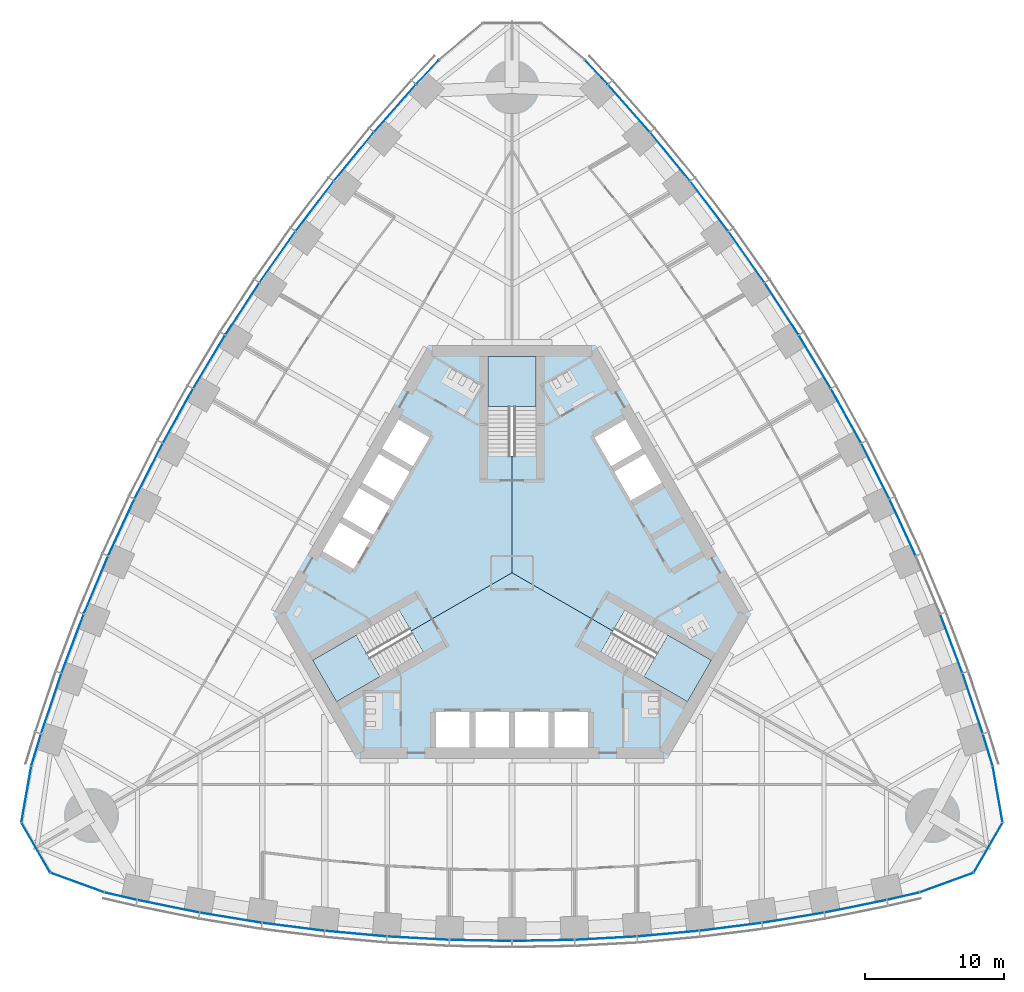
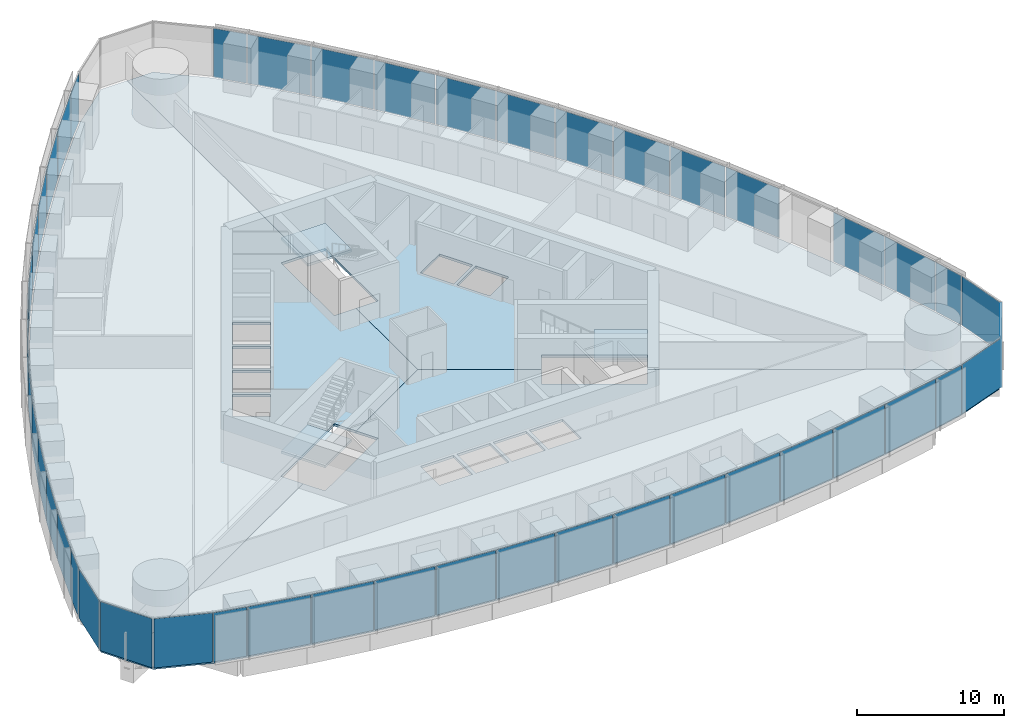
# One storey, part 9 of 19: 47 plates, 6 slabs, 8 elements without a shape of their own.
"""IFC4 building model written with IfcOpenShell, lengths in metres."""

from ifc_helpers import new_model, si_unit, direction, frame, origin, origin_2d, place, context, subcontext, project, spatial, polyline, rectangle, outline, extrude, material, layer, layer_set, type_object, element, aggregate, save


model = new_model("IFC4")

# Units and contexts
model_context = context("Model", 3, precision=1e-05, world=origin(), true_north=direction((0.0, 1.0)))
body_context = subcontext(model_context, "Body", "Model", "MODEL_VIEW")
ifc_project = project(units=[si_unit("LENGTHUNIT", "METRE"), si_unit("AREAUNIT", "SQUARE_METRE"), si_unit("VOLUMEUNIT", "CUBIC_METRE"), si_unit("PLANEANGLEUNIT", "RADIAN"), si_unit("MASSUNIT", "GRAM", prefix="KILO")], contexts=[model_context])

# Site, building, storey
site_placement = place(None, origin())
site = spatial("IfcSite", under=ifc_project, at=site_placement, CompositionType="ELEMENT")
building_placement = place(site_placement, origin())
building = spatial("IfcBuilding", under=site, at=building_placement, Name="Trefoil Bronze Tower", CompositionType="ELEMENT")
storey_placement = place(building_placement, frame((0.0, 0.0, 166.10009765625)))
storey = spatial("IfcBuildingStorey", under=building, at=storey_placement, Name="L38", CompositionType="ELEMENT", Elevation=166.10009765625)

# Curtain wall, plates
ifc_material_1 = material(Name="Tinted solar-control glass", Category="glass")
curtain_wall_type_1 = type_object("IfcCurtainWallType", Name="Bronze office curtain wall", PredefinedType="USERDEFINED", material=ifc_material_1)
curtain_wall_1_placement = place(storey_placement, origin())
curtain_wall_1 = element("IfcCurtainWall", 1, at=curtain_wall_1_placement, inside=storey, type_object=curtain_wall_type_1, Name="CW-A L38 F1", ObjectType="CURTAIN WALL", PredefinedType="USERDEFINED")
ifc_material_2 = material(Name="Tinted solar-control glass", Category="glass")
ifc_layer_1 = layer(ifc_material_2, 0.030029296875)
ifc_layer_set_1 = layer_set([ifc_layer_1], Name="Bronze office curtain wall glass panel")
plate_type_1 = type_object("IfcPlateType", Name="Bronze office curtain wall glass panel", PredefinedType="CURTAIN_PANEL", material=ifc_layer_set_1)
plate_1_placement = place(storey_placement, frame((-28.201416015625, -23.320068359375, -0.000244140625), z_axis=(0.0, 0.0, 1.0), x_axis=(0.97420444715, -0.225667222151, 0.0)))
plate_1 = element("IfcPlate", 2, at=plate_1_placement, type_object=plate_type_1, Name="CW-A L38 F1 panel 1", PredefinedType="CURTAIN_PANEL", context=body_context, shape_type="SweptSolid", body=[
    extrude(rectangle(XDim=2.340087890625, YDim=0.030029296875, at=origin_2d()), origin(), (0.0, 0.0, 1.0), 4.080078125),
])
plate_2_placement = place(storey_placement, frame((-24.769775390625, -24.048828125, -0.000244140625), z_axis=(0.0, 0.0, 1.0), x_axis=(0.980155155547, -0.198231861853, 0.0)))
plate_2 = element("IfcPlate", 3, at=plate_2_placement, type_object=plate_type_1, Name="CW-A L38 F1 panel 2", PredefinedType="CURTAIN_PANEL", context=body_context, shape_type="SweptSolid", body=[
    extrude(rectangle(XDim=4.51123046875, YDim=0.030029296875, at=origin_2d()), origin(), (0.0, 0.0, 1.0), 4.080078125),
])
plate_3_placement = place(storey_placement, frame((-20.26611328125, -24.87451171875, -0.000244140625), z_axis=(0.0, 0.0, 1.0), x_axis=(0.986759655731, -0.162189339418, 0.0)))
plate_3 = element("IfcPlate", 4, at=plate_3_placement, type_object=plate_type_1, Name="CW-A L38 F1 panel 3", PredefinedType="CURTAIN_PANEL", context=body_context, shape_type="SweptSolid", body=[
    extrude(rectangle(XDim=4.48046875, YDim=0.030029296875, at=origin_2d()), origin(), (0.0, 0.0, 1.0), 4.080078125),
])
plate_4_placement = place(storey_placement, frame((-15.7626953125, -25.53076171875, -0.000244140625), z_axis=(0.0, 0.0, 1.0), x_axis=(0.992011554286, -0.126147041833, 0.0)))
plate_4 = element("IfcPlate", 5, at=plate_4_placement, type_object=plate_type_1, Name="CW-A L38 F1 panel 4", PredefinedType="CURTAIN_PANEL", context=body_context, shape_type="SweptSolid", body=[
    extrude(rectangle(XDim=4.456298828125, YDim=0.030029296875, at=origin_2d()), origin(), (0.0, 0.0, 1.0), 4.080078125),
])
plate_5_placement = place(storey_placement, frame((-11.259033203125, -26.02099609375, -0.000244140625), z_axis=(0.0, 0.0, 1.0), x_axis=(0.995932279146, -0.090104913044, 0.0)))
plate_5 = element("IfcPlate", 6, at=plate_5_placement, type_object=plate_type_1, Name="CW-A L38 F1 panel 5", PredefinedType="CURTAIN_PANEL", context=body_context, shape_type="SweptSolid", body=[
    extrude(rectangle(XDim=4.4384765625, YDim=0.030029296875, at=origin_2d()), origin(), (0.0, 0.0, 1.0), 4.080078125),
])
plate_6_placement = place(storey_placement, frame((-6.75537109375, -26.3466796875, -0.000244140625), z_axis=(0.0, 0.0, 1.0), x_axis=(0.998537531923, -0.054062901701, 0.0)))
plate_6 = element("IfcPlate", 7, at=plate_6_placement, type_object=plate_type_1, Name="CW-A L38 F1 panel 6", PredefinedType="CURTAIN_PANEL", context=body_context, shape_type="SweptSolid", body=[
    extrude(rectangle(XDim=4.426513671875, YDim=0.030029296875, at=origin_2d()), origin(), (0.0, 0.0, 1.0), 4.080078125),
])
plate_7_placement = place(storey_placement, frame((-2.251708984375, -26.509033203125, -0.000244140625), z_axis=(0.0, 0.0, 1.0), x_axis=(0.999837609322, -0.018020959612, 0.0)))
plate_7 = element("IfcPlate", 8, at=plate_7_placement, type_object=plate_type_1, Name="CW-A L38 F1 panel 7", PredefinedType="CURTAIN_PANEL", context=body_context, shape_type="SweptSolid", body=[
    extrude(rectangle(XDim=4.420654296875, YDim=0.030029296875, at=origin_2d()), origin(), (0.0, 0.0, 1.0), 4.080078125),
])
plate_8_placement = place(storey_placement, frame((2.251708984375, -26.509033203125, -0.000244140625), z_axis=(0.0, 0.0, 1.0), x_axis=(0.999837609322, 0.018020959612, 0.0)))
plate_8 = element("IfcPlate", 9, at=plate_8_placement, type_object=plate_type_1, Name="CW-A L38 F1 panel 8", PredefinedType="CURTAIN_PANEL", context=body_context, shape_type="SweptSolid", body=[
    extrude(rectangle(XDim=4.420654296875, YDim=0.030029296875, at=origin_2d()), origin(), (0.0, 0.0, 1.0), 4.080078125),
])
plate_9_placement = place(storey_placement, frame((6.75537109375, -26.3466796875, -0.000244140625), z_axis=(0.0, 0.0, 1.0), x_axis=(0.998537531923, 0.054062901701, 0.0)))
plate_9 = element("IfcPlate", 10, at=plate_9_placement, type_object=plate_type_1, Name="CW-A L38 F1 panel 9", PredefinedType="CURTAIN_PANEL", context=body_context, shape_type="SweptSolid", body=[
    extrude(rectangle(XDim=4.426513671875, YDim=0.030029296875, at=origin_2d()), origin(), (0.0, 0.0, 1.0), 4.080078125),
])
plate_10_placement = place(storey_placement, frame((11.259033203125, -26.02099609375, -0.000244140625), z_axis=(0.0, 0.0, 1.0), x_axis=(0.995932279146, 0.090104913044, 0.0)))
plate_10 = element("IfcPlate", 11, at=plate_10_placement, type_object=plate_type_1, Name="CW-A L38 F1 panel 10", PredefinedType="CURTAIN_PANEL", context=body_context, shape_type="SweptSolid", body=[
    extrude(rectangle(XDim=4.4384765625, YDim=0.030029296875, at=origin_2d()), origin(), (0.0, 0.0, 1.0), 4.080078125),
])
plate_11_placement = place(storey_placement, frame((15.7626953125, -25.53076171875, -0.000244140625), z_axis=(0.0, 0.0, 1.0), x_axis=(0.992011554286, 0.126147041833, 0.0)))
plate_11 = element("IfcPlate", 12, at=plate_11_placement, type_object=plate_type_1, Name="CW-A L38 F1 panel 11", PredefinedType="CURTAIN_PANEL", context=body_context, shape_type="SweptSolid", body=[
    extrude(rectangle(XDim=4.456298828125, YDim=0.030029296875, at=origin_2d()), origin(), (0.0, 0.0, 1.0), 4.080078125),
])
plate_12_placement = place(storey_placement, frame((20.26611328125, -24.87451171875, -0.000244140625), z_axis=(0.0, 0.0, 1.0), x_axis=(0.986759655731, 0.162189339418, 0.0)))
plate_12 = element("IfcPlate", 13, at=plate_12_placement, type_object=plate_type_1, Name="CW-A L38 F1 panel 12", PredefinedType="CURTAIN_PANEL", context=body_context, shape_type="SweptSolid", body=[
    extrude(rectangle(XDim=4.48046875, YDim=0.030029296875, at=origin_2d()), origin(), (0.0, 0.0, 1.0), 4.080078125),
])
plate_13_placement = place(storey_placement, frame((24.769775390625, -24.048828125, -0.000244140625), z_axis=(0.0, 0.0, 1.0), x_axis=(0.980155155547, 0.198231861853, 0.0)))
plate_13 = element("IfcPlate", 14, at=plate_13_placement, type_object=plate_type_1, Name="CW-A L38 F1 panel 13", PredefinedType="CURTAIN_PANEL", context=body_context, shape_type="SweptSolid", body=[
    extrude(rectangle(XDim=4.51123046875, YDim=0.030029296875, at=origin_2d()), origin(), (0.0, 0.0, 1.0), 4.080078125),
])
plate_14_placement = place(storey_placement, frame((28.201416015625, -23.320068359375, -0.000244140625), z_axis=(0.0, 0.0, 1.0), x_axis=(0.97420444715, 0.225667222151, 0.0)))
plate_14 = element("IfcPlate", 15, at=plate_14_placement, type_object=plate_type_1, Name="CW-A L38 F1 panel 14", PredefinedType="CURTAIN_PANEL", context=body_context, shape_type="SweptSolid", body=[
    extrude(rectangle(XDim=2.340087890625, YDim=0.030029296875, at=origin_2d()), origin(), (0.0, 0.0, 1.0), 4.080078125),
])
aggregate(curtain_wall_1, [plate_1, plate_2, plate_3, plate_4, plate_5, plate_6, plate_7, plate_8, plate_9, plate_10, plate_11, plate_12, plate_13, plate_14])

curtain_wall_2_placement = place(storey_placement, origin())
curtain_wall_2 = element("IfcCurtainWall", 16, at=curtain_wall_2_placement, inside=storey, type_object=curtain_wall_type_1, Name="CW-A L38 F2", ObjectType="CURTAIN WALL", PredefinedType="USERDEFINED")
plate_15_placement = place(storey_placement, frame((34.296630859375, -12.762939453125, -0.000244140625), z_axis=(0.0, 0.0, 1.0), x_axis=(-0.291668676391, 0.956519410787, 0.0)))
plate_15 = element("IfcPlate", 17, at=plate_15_placement, type_object=plate_type_1, Name="CW-A L38 F2 panel 1", PredefinedType="CURTAIN_PANEL", context=body_context, shape_type="SweptSolid", body=[
    extrude(rectangle(XDim=2.340087890625, YDim=0.030029296875, at=origin_2d()), origin(), (0.0, 0.0, 1.0), 4.080078125),
])
plate_16_placement = place(storey_placement, frame((33.2119140625, -9.4267578125, -0.000244140625), z_axis=(0.0, 0.0, 1.0), x_axis=(-0.318403749569, 0.947955195281, 0.0)))
plate_16 = element("IfcPlate", 18, at=plate_16_placement, type_object=plate_type_1, Name="CW-A L38 F2 panel 2", PredefinedType="CURTAIN_PANEL", context=body_context, shape_type="SweptSolid", body=[
    extrude(rectangle(XDim=4.51123046875, YDim=0.030029296875, at=origin_2d()), origin(), (0.0, 0.0, 1.0), 4.080078125),
])
plate_17_placement = place(storey_placement, frame((31.675048828125, -5.11376953125, -0.000244140625), z_axis=(0.0, 0.0, 1.0), x_axis=(-0.352919739707, 0.935653599002, 0.0)))
plate_17 = element("IfcPlate", 19, at=plate_17_placement, type_object=plate_type_1, Name="CW-A L38 F2 panel 3", PredefinedType="CURTAIN_PANEL", context=body_context, shape_type="SweptSolid", body=[
    extrude(rectangle(XDim=4.48046875, YDim=0.030029296875, at=origin_2d()), origin(), (0.0, 0.0, 1.0), 4.080078125),
])
plate_18_placement = place(storey_placement, frame((28.164306640625, 3.260009765625, -0.000244140625), z_axis=(0.0, 0.0, 1.0), x_axis=(-0.419932995871, 0.907555110712, 0.0)))
plate_18 = element("IfcPlate", 20, at=plate_18_placement, type_object=plate_type_1, Name="CW-A L38 F2 panel 5", PredefinedType="CURTAIN_PANEL", context=body_context, shape_type="SweptSolid", body=[
    extrude(rectangle(XDim=4.4384765625, YDim=0.030029296875, at=origin_2d()), origin(), (0.0, 0.0, 1.0), 4.080078125),
])
plate_19_placement = place(storey_placement, frame((26.194580078125, 7.322998046875, -0.000244140625), z_axis=(0.0, 0.0, 1.0), x_axis=(-0.452448919686, 0.891790320128, 0.0)))
plate_19 = element("IfcPlate", 21, at=plate_19_placement, type_object=plate_type_1, Name="CW-A L38 F2 panel 6", PredefinedType="CURTAIN_PANEL", context=body_context, shape_type="SweptSolid", body=[
    extrude(rectangle(XDim=4.426513671875, YDim=0.030029296875, at=origin_2d()), origin(), (0.0, 0.0, 1.0), 4.080078125),
])
plate_20_placement = place(storey_placement, frame((24.08349609375, 11.304443359375, -0.000244140625), z_axis=(0.0, 0.0, 1.0), x_axis=(-0.484312195836, 0.874895249138, 0.0)))
plate_20 = element("IfcPlate", 22, at=plate_20_placement, type_object=plate_type_1, Name="CW-A L38 F2 panel 7", PredefinedType="CURTAIN_PANEL", context=body_context, shape_type="SweptSolid", body=[
    extrude(rectangle(XDim=4.420654296875, YDim=0.030029296875, at=origin_2d()), origin(), (0.0, 0.0, 1.0), 4.080078125),
])
plate_21_placement = place(storey_placement, frame((21.83154296875, 15.20458984375, -0.000244140625), z_axis=(0.0, 0.0, 1.0), x_axis=(-0.515525413486, 0.856874289526, 0.0)))
plate_21 = element("IfcPlate", 23, at=plate_21_placement, type_object=plate_type_1, Name="CW-A L38 F2 panel 8", PredefinedType="CURTAIN_PANEL", context=body_context, shape_type="SweptSolid", body=[
    extrude(rectangle(XDim=4.420654296875, YDim=0.030029296875, at=origin_2d()), origin(), (0.0, 0.0, 1.0), 4.080078125),
])
plate_22_placement = place(storey_placement, frame((19.439208984375, 19.023681640625, -0.000244140625), z_axis=(0.0, 0.0, 1.0), x_axis=(-0.546088612237, 0.837727418427, 0.0)))
plate_22 = element("IfcPlate", 24, at=plate_22_placement, type_object=plate_type_1, Name="CW-A L38 F2 panel 9", PredefinedType="CURTAIN_PANEL", context=body_context, shape_type="SweptSolid", body=[
    extrude(rectangle(XDim=4.426513671875, YDim=0.030029296875, at=origin_2d()), origin(), (0.0, 0.0, 1.0), 4.080078125),
])
plate_23_placement = place(storey_placement, frame((16.9052734375, 22.760986328125, -0.000244140625), z_axis=(0.0, 0.0, 1.0), x_axis=(-0.575999283275, 0.817450197667, 0.0)))
plate_23 = element("IfcPlate", 25, at=plate_23_placement, type_object=plate_type_1, Name="CW-A L38 F2 panel 10", PredefinedType="CURTAIN_PANEL", context=body_context, shape_type="SweptSolid", body=[
    extrude(rectangle(XDim=4.4384765625, YDim=0.030029296875, at=origin_2d()), origin(), (0.0, 0.0, 1.0), 4.080078125),
])
plate_24_placement = place(storey_placement, frame((14.22900390625, 26.416259765625, -0.000244140625), z_axis=(0.0, 0.0, 1.0), x_axis=(-0.605252319983, 0.796033685943, 0.0)))
plate_24 = element("IfcPlate", 26, at=plate_24_placement, type_object=plate_type_1, Name="CW-A L38 F2 panel 11", PredefinedType="CURTAIN_PANEL", context=body_context, shape_type="SweptSolid", body=[
    extrude(rectangle(XDim=4.456298828125, YDim=0.030029296875, at=origin_2d()), origin(), (0.0, 0.0, 1.0), 4.080078125),
])
plate_25_placement = place(storey_placement, frame((11.40869140625, 29.98828125, -0.000244140625), z_axis=(0.0, 0.0, 1.0), x_axis=(-0.633839916024, 0.773464259584, 0.0)))
plate_25 = element("IfcPlate", 27, at=plate_25_placement, type_object=plate_type_1, Name="CW-A L38 F2 panel 12", PredefinedType="CURTAIN_PANEL", context=body_context, shape_type="SweptSolid", body=[
    extrude(rectangle(XDim=4.48046875, YDim=0.030029296875, at=origin_2d()), origin(), (0.0, 0.0, 1.0), 4.080078125),
])
plate_26_placement = place(storey_placement, frame((8.442138671875, 33.475830078125, -0.000244140625), z_axis=(0.0, 0.0, 1.0), x_axis=(-0.661751405978, 0.749723333428, 0.0)))
plate_26 = element("IfcPlate", 28, at=plate_26_placement, type_object=plate_type_1, Name="CW-A L38 F2 panel 13", PredefinedType="CURTAIN_PANEL", context=body_context, shape_type="SweptSolid", body=[
    extrude(rectangle(XDim=4.51123046875, YDim=0.030029296875, at=origin_2d()), origin(), (0.0, 0.0, 1.0), 4.080078125),
])
plate_27_placement = place(storey_placement, frame((6.09521484375, 36.083251953125, -0.000244140625), z_axis=(0.0, 0.0, 1.0), x_axis=(-0.682535770759, 0.730852188636, 0.0)))
plate_27 = element("IfcPlate", 29, at=plate_27_placement, type_object=plate_type_1, Name="CW-A L38 F2 panel 14", PredefinedType="CURTAIN_PANEL", context=body_context, shape_type="SweptSolid", body=[
    extrude(rectangle(XDim=2.340087890625, YDim=0.030029296875, at=origin_2d()), origin(), (0.0, 0.0, 1.0), 4.080078125),
])
aggregate(curtain_wall_2, [plate_15, plate_16, plate_17, plate_18, plate_19, plate_20, plate_21, plate_22, plate_23, plate_24, plate_25, plate_26, plate_27])

curtain_wall_3_placement = place(storey_placement, origin())
curtain_wall_3 = element("IfcCurtainWall", 30, at=curtain_wall_3_placement, inside=storey, type_object=curtain_wall_type_1, Name="CW-A L38 F3", ObjectType="CURTAIN WALL", PredefinedType="USERDEFINED")
plate_28_placement = place(storey_placement, frame((-6.09521484375, 36.083251953125, -0.000244140625), z_axis=(0.0, 0.0, 1.0), x_axis=(-0.682535770759, -0.730852188636, 0.0)))
plate_28 = element("IfcPlate", 31, at=plate_28_placement, type_object=plate_type_1, Name="CW-A L38 F3 panel 1", PredefinedType="CURTAIN_PANEL", context=body_context, shape_type="SweptSolid", body=[
    extrude(rectangle(XDim=2.340087890625, YDim=0.030029296875, at=origin_2d()), origin(), (0.0, 0.0, 1.0), 4.080078125),
])
plate_29_placement = place(storey_placement, frame((-8.442138671875, 33.475830078125, -0.000244140625), z_axis=(0.0, 0.0, 1.0), x_axis=(-0.661751405978, -0.749723333428, 0.0)))
plate_29 = element("IfcPlate", 32, at=plate_29_placement, type_object=plate_type_1, Name="CW-A L38 F3 panel 2", PredefinedType="CURTAIN_PANEL", context=body_context, shape_type="SweptSolid", body=[
    extrude(rectangle(XDim=4.51123046875, YDim=0.030029296875, at=origin_2d()), origin(), (0.0, 0.0, 1.0), 4.080078125),
])
plate_30_placement = place(storey_placement, frame((-11.40869140625, 29.98828125, -0.000244140625), z_axis=(0.0, 0.0, 1.0), x_axis=(-0.633839916024, -0.773464259584, 0.0)))
plate_30 = element("IfcPlate", 33, at=plate_30_placement, type_object=plate_type_1, Name="CW-A L38 F3 panel 3", PredefinedType="CURTAIN_PANEL", context=body_context, shape_type="SweptSolid", body=[
    extrude(rectangle(XDim=4.48046875, YDim=0.030029296875, at=origin_2d()), origin(), (0.0, 0.0, 1.0), 4.080078125),
])
plate_31_placement = place(storey_placement, frame((-14.22900390625, 26.416259765625, -0.000244140625), z_axis=(0.0, 0.0, 1.0), x_axis=(-0.605252319983, -0.796033685943, 0.0)))
plate_31 = element("IfcPlate", 34, at=plate_31_placement, type_object=plate_type_1, Name="CW-A L38 F3 panel 4", PredefinedType="CURTAIN_PANEL", context=body_context, shape_type="SweptSolid", body=[
    extrude(rectangle(XDim=4.456298828125, YDim=0.030029296875, at=origin_2d()), origin(), (0.0, 0.0, 1.0), 4.080078125),
])
plate_32_placement = place(storey_placement, frame((-16.9052734375, 22.760986328125, -0.000244140625), z_axis=(0.0, 0.0, 1.0), x_axis=(-0.575999283275, -0.817450197667, 0.0)))
plate_32 = element("IfcPlate", 35, at=plate_32_placement, type_object=plate_type_1, Name="CW-A L38 F3 panel 5", PredefinedType="CURTAIN_PANEL", context=body_context, shape_type="SweptSolid", body=[
    extrude(rectangle(XDim=4.4384765625, YDim=0.030029296875, at=origin_2d()), origin(), (0.0, 0.0, 1.0), 4.080078125),
])
plate_33_placement = place(storey_placement, frame((-19.439208984375, 19.023681640625, -0.000244140625), z_axis=(0.0, 0.0, 1.0), x_axis=(-0.546088612237, -0.837727418427, 0.0)))
plate_33 = element("IfcPlate", 36, at=plate_33_placement, type_object=plate_type_1, Name="CW-A L38 F3 panel 6", PredefinedType="CURTAIN_PANEL", context=body_context, shape_type="SweptSolid", body=[
    extrude(rectangle(XDim=4.426513671875, YDim=0.030029296875, at=origin_2d()), origin(), (0.0, 0.0, 1.0), 4.080078125),
])
plate_34_placement = place(storey_placement, frame((-21.83154296875, 15.20458984375, -0.000244140625), z_axis=(0.0, 0.0, 1.0), x_axis=(-0.515525413486, -0.856874289526, 0.0)))
plate_34 = element("IfcPlate", 37, at=plate_34_placement, type_object=plate_type_1, Name="CW-A L38 F3 panel 7", PredefinedType="CURTAIN_PANEL", context=body_context, shape_type="SweptSolid", body=[
    extrude(rectangle(XDim=4.420654296875, YDim=0.030029296875, at=origin_2d()), origin(), (0.0, 0.0, 1.0), 4.080078125),
])
plate_35_placement = place(storey_placement, frame((-24.08349609375, 11.304443359375, -0.000244140625), z_axis=(0.0, 0.0, 1.0), x_axis=(-0.484312195836, -0.874895249138, 0.0)))
plate_35 = element("IfcPlate", 38, at=plate_35_placement, type_object=plate_type_1, Name="CW-A L38 F3 panel 8", PredefinedType="CURTAIN_PANEL", context=body_context, shape_type="SweptSolid", body=[
    extrude(rectangle(XDim=4.420654296875, YDim=0.030029296875, at=origin_2d()), origin(), (0.0, 0.0, 1.0), 4.080078125),
])
plate_36_placement = place(storey_placement, frame((-26.194580078125, 7.322998046875, -0.000244140625), z_axis=(0.0, 0.0, 1.0), x_axis=(-0.452448919686, -0.891790320128, 0.0)))
plate_36 = element("IfcPlate", 39, at=plate_36_placement, type_object=plate_type_1, Name="CW-A L38 F3 panel 9", PredefinedType="CURTAIN_PANEL", context=body_context, shape_type="SweptSolid", body=[
    extrude(rectangle(XDim=4.426513671875, YDim=0.030029296875, at=origin_2d()), origin(), (0.0, 0.0, 1.0), 4.080078125),
])
plate_37_placement = place(storey_placement, frame((-28.164306640625, 3.260009765625, -0.000244140625), z_axis=(0.0, 0.0, 1.0), x_axis=(-0.419932995871, -0.907555110712, 0.0)))
plate_37 = element("IfcPlate", 40, at=plate_37_placement, type_object=plate_type_1, Name="CW-A L38 F3 panel 10", PredefinedType="CURTAIN_PANEL", context=body_context, shape_type="SweptSolid", body=[
    extrude(rectangle(XDim=4.4384765625, YDim=0.030029296875, at=origin_2d()), origin(), (0.0, 0.0, 1.0), 4.080078125),
])
plate_38_placement = place(storey_placement, frame((-29.99169921875, -0.885498046875, -0.000244140625), z_axis=(0.0, 0.0, 1.0), x_axis=(-0.386759234303, -0.922180727776, 0.0)))
plate_38 = element("IfcPlate", 41, at=plate_38_placement, type_object=plate_type_1, Name="CW-A L38 F3 panel 11", PredefinedType="CURTAIN_PANEL", context=body_context, shape_type="SweptSolid", body=[
    extrude(rectangle(XDim=4.456298828125, YDim=0.030029296875, at=origin_2d()), origin(), (0.0, 0.0, 1.0), 4.080078125),
])
plate_39_placement = place(storey_placement, frame((-31.675048828125, -5.11376953125, -0.000244140625), z_axis=(0.0, 0.0, 1.0), x_axis=(-0.352919739707, -0.935653599002, 0.0)))
plate_39 = element("IfcPlate", 42, at=plate_39_placement, type_object=plate_type_1, Name="CW-A L38 F3 panel 12", PredefinedType="CURTAIN_PANEL", context=body_context, shape_type="SweptSolid", body=[
    extrude(rectangle(XDim=4.48046875, YDim=0.030029296875, at=origin_2d()), origin(), (0.0, 0.0, 1.0), 4.080078125),
])
plate_40_placement = place(storey_placement, frame((-33.2119140625, -9.4267578125, -0.000244140625), z_axis=(0.0, 0.0, 1.0), x_axis=(-0.318403749569, -0.947955195281, 0.0)))
plate_40 = element("IfcPlate", 43, at=plate_40_placement, type_object=plate_type_1, Name="CW-A L38 F3 panel 13", PredefinedType="CURTAIN_PANEL", context=body_context, shape_type="SweptSolid", body=[
    extrude(rectangle(XDim=4.51123046875, YDim=0.030029296875, at=origin_2d()), origin(), (0.0, 0.0, 1.0), 4.080078125),
])
plate_41_placement = place(storey_placement, frame((-34.296630859375, -12.762939453125, -0.000244140625), z_axis=(0.0, 0.0, 1.0), x_axis=(-0.291668676391, -0.956519410787, 0.0)))
plate_41 = element("IfcPlate", 44, at=plate_41_placement, type_object=plate_type_1, Name="CW-A L38 F3 panel 14", PredefinedType="CURTAIN_PANEL", context=body_context, shape_type="SweptSolid", body=[
    extrude(rectangle(XDim=2.340087890625, YDim=0.030029296875, at=origin_2d()), origin(), (0.0, 0.0, 1.0), 4.080078125),
])
aggregate(curtain_wall_3, [plate_28, plate_29, plate_30, plate_31, plate_32, plate_33, plate_34, plate_35, plate_36, plate_37, plate_38, plate_39, plate_40, plate_41])

ifc_material_3 = material(Name="Tinted solar-control glass", Category="glass")
curtain_wall_type_2 = type_object("IfcCurtainWallType", Name="Bronze rounded corner curtain wall", PredefinedType="USERDEFINED", material=ifc_material_3)
curtain_wall_4_placement = place(storey_placement, origin())
curtain_wall_4 = element("IfcCurtainWall", 45, at=curtain_wall_4_placement, inside=storey, type_object=curtain_wall_type_2, Name="CW-B L38 K1", ObjectType="CURTAIN WALL", PredefinedType="USERDEFINED")
ifc_material_4 = material(Name="Tinted solar-control glass", Category="glass")
ifc_layer_2 = layer(ifc_material_4, 0.030029296875)
ifc_layer_set_2 = layer_set([ifc_layer_2], Name="Bronze rounded corner curtain wall glass panel")
plate_type_2 = type_object("IfcPlateType", Name="Bronze rounded corner curtain wall glass panel", PredefinedType="CURTAIN_PANEL", material=ifc_layer_set_2)
plate_42_placement = place(storey_placement, frame((31.3203125, -22.341796875, -0.000244140625), z_axis=(0.0, 0.0, 1.0), x_axis=(0.939692620786, 0.342020143326, 0.0)))
plate_42 = element("IfcPlate", 46, at=plate_42_placement, type_object=plate_type_2, Name="CW-B L38 K1 panel 1", PredefinedType="CURTAIN_PANEL", context=body_context, shape_type="SweptSolid", body=[
    extrude(rectangle(XDim=4.044189453125, YDim=0.030029296875, at=origin_2d()), origin(), (0.0, 0.0, 1.0), 4.080078125),
])
plate_43_placement = place(storey_placement, frame((34.3271484375, -19.81884765625, -0.000244140625), z_axis=(0.0, 0.0, 1.0), x_axis=(0.5, 0.866025403784, 0.0)))
plate_43 = element("IfcPlate", 47, at=plate_43_placement, type_object=plate_type_2, Name="CW-B L38 K1 panel 2", PredefinedType="CURTAIN_PANEL", context=body_context, shape_type="SweptSolid", body=[
    extrude(rectangle(XDim=4.044189453125, YDim=0.030029296875, at=origin_2d()), origin(), (0.0, 0.0, 1.0), 4.080078125),
])
plate_44_placement = place(storey_placement, frame((35.0087890625, -15.953369140625, -0.000244140625), z_axis=(0.0, 0.0, 1.0), x_axis=(-0.173648177667, 0.984807753012, 0.0)))
plate_44 = element("IfcPlate", 48, at=plate_44_placement, type_object=plate_type_2, Name="CW-B L38 K1 panel 3", PredefinedType="CURTAIN_PANEL", context=body_context, shape_type="SweptSolid", body=[
    extrude(rectangle(XDim=4.044189453125, YDim=0.030029296875, at=origin_2d()), origin(), (0.0, 0.0, 1.0), 4.080078125),
])
aggregate(curtain_wall_4, [plate_42, plate_43, plate_44])

curtain_wall_5_placement = place(storey_placement, origin())
curtain_wall_5 = element("IfcCurtainWall", 49, at=curtain_wall_5_placement, inside=storey, type_object=curtain_wall_type_2, Name="CW-B L38 K3", ObjectType="CURTAIN WALL", PredefinedType="USERDEFINED")
plate_45_placement = place(storey_placement, frame((-35.0087890625, -15.953369140625, -0.000244140625), z_axis=(0.0, 0.0, 1.0), x_axis=(-0.173648177667, -0.984807753012, 0.0)))
plate_45 = element("IfcPlate", 50, at=plate_45_placement, type_object=plate_type_2, Name="CW-B L38 K3 panel 1", PredefinedType="CURTAIN_PANEL", context=body_context, shape_type="SweptSolid", body=[
    extrude(rectangle(XDim=4.044189453125, YDim=0.030029296875, at=origin_2d()), origin(), (0.0, 0.0, 1.0), 4.080078125),
])
plate_46_placement = place(storey_placement, frame((-34.3271484375, -19.81884765625, -0.000244140625), z_axis=(0.0, 0.0, 1.0), x_axis=(0.5, -0.866025403784, 0.0)))
plate_46 = element("IfcPlate", 51, at=plate_46_placement, type_object=plate_type_2, Name="CW-B L38 K3 panel 2", PredefinedType="CURTAIN_PANEL", context=body_context, shape_type="SweptSolid", body=[
    extrude(rectangle(XDim=4.044189453125, YDim=0.030029296875, at=origin_2d()), origin(), (0.0, 0.0, 1.0), 4.080078125),
])
plate_47_placement = place(storey_placement, frame((-31.3203125, -22.341796875, -0.000244140625), z_axis=(0.0, 0.0, 1.0), x_axis=(0.939692620786, -0.342020143326, 0.0)))
plate_47 = element("IfcPlate", 52, at=plate_47_placement, type_object=plate_type_2, Name="CW-B L38 K3 panel 3", PredefinedType="CURTAIN_PANEL", context=body_context, shape_type="SweptSolid", body=[
    extrude(rectangle(XDim=4.044189453125, YDim=0.030029296875, at=origin_2d()), origin(), (0.0, 0.0, 1.0), 4.080078125),
])
aggregate(curtain_wall_5, [plate_45, plate_46, plate_47])

# Slabs
ifc_material_5 = material(Name="Concrete B30", Category="concrete")
ifc_layer_3 = layer(ifc_material_5, 0.199951171875)
ifc_layer_set_3 = layer_set([ifc_layer_3], Name="Floor slab 200")
slab_type_1 = type_object("IfcSlabType", Name="Floor slab 200", PredefinedType="FLOOR", material=ifc_layer_set_3)
slab_1_placement = place(storey_placement, frame((0.0, 0.0, -0.2001953125)))
element("IfcSlab", 53, at=slab_1_placement, inside=storey, type_object=slab_type_1, Name="Floor slab L38 face 1", PredefinedType="FLOOR", context=body_context, shape_type="SweptSolid", body=[
    extrude(outline(polyline([(22.5, -24.406005859375), (18.0, -25.1455078125), (13.5, -25.7177734375), (9.0, -26.125), (4.5, -26.36865234375), (0.0, -26.44970703125), (-4.5, -26.36865234375), (-9.0, -26.125), (-13.5, -25.7177734375), (-18.0, -25.1455078125), (-22.5, -24.406005859375), (-27.0, -23.495849609375), (-29.357666015625, -22.94970703125), (-33.21435546875, -21.5458984375), (-34.240478515625, -19.768798828125), (-13.510009765625, -7.800048828125), (-12.6474609375, -9.2939453125), (-6.412109375, -5.69384765625), (-7.274658203125, -4.199951171875), (0.0, 0.0), (7.274658203125, -4.199951171875), (6.412109375, -5.69384765625), (12.6474609375, -9.2939453125), (13.510009765625, -7.800048828125), (34.240478515625, -19.768798828125), (33.21435546875, -21.5458984375), (29.357666015625, -22.94970703125), (27.0, -23.495849609375), (22.5, -24.406005859375)]), holes=[polyline([(-5.574951171875, -10.02490234375), (-2.97509765625, -10.02490234375), (-2.97509765625, -12.60009765625), (-5.574951171875, -12.60009765625), (-5.574951171875, -10.02490234375)]), polyline([(-2.72509765625, -10.02490234375), (-0.125, -10.02490234375), (-0.125, -12.60009765625), (-2.72509765625, -12.60009765625), (-2.72509765625, -10.02490234375)]), polyline([(0.125, -10.02490234375), (2.72509765625, -10.02490234375), (2.72509765625, -12.60009765625), (0.125, -12.60009765625), (0.125, -10.02490234375)]), polyline([(2.97509765625, -10.02490234375), (5.574951171875, -10.02490234375), (5.574951171875, -12.60009765625), (2.97509765625, -12.60009765625), (2.97509765625, -10.02490234375)])]), origin(), (0.0, 0.0, 1.0), 0.2001953125),
])
slab_2_placement = place(storey_placement, frame((0.0, 0.0, -0.2001953125)))
element("IfcSlab", 54, at=slab_2_placement, inside=storey, type_object=slab_type_1, Name="Floor slab L38 face 2", PredefinedType="FLOOR", context=body_context, shape_type="SweptSolid", body=[
    extrude(outline(polyline([(9.88623046875, 31.6884765625), (12.776611328125, 28.1611328125), (15.522216796875, 24.55029296875), (18.124755859375, 20.856689453125), (20.5859375, 17.081298828125), (22.906005859375, 13.224853515625), (25.0859375, 9.287109375), (27.124755859375, 5.268310546875), (29.022216796875, 1.16748046875), (30.776611328125, -3.015625), (32.38623046875, -7.28271484375), (33.847900390625, -11.634765625), (34.553955078125, -13.94970703125), (35.2666015625, -17.991455078125), (34.240478515625, -19.768798828125), (13.510009765625, -7.800048828125), (14.37255859375, -6.30615234375), (8.13720703125, -2.7060546875), (7.274658203125, -4.199951171875), (0.0, 0.0), (0.0, 8.39990234375), (1.72509765625, 8.39990234375), (1.72509765625, 15.60009765625), (0.0, 15.60009765625), (0.0, 39.53759765625), (2.052001953125, 39.53759765625), (5.196044921875, 36.8994140625), (6.847900390625, 35.130615234375), (9.88623046875, 31.6884765625)]), holes=[polyline([(8.619384765625, 5.120849609375), (7.3193359375, 7.372314453125), (9.54931640625, 8.659912109375), (10.849365234375, 6.408203125), (8.619384765625, 5.120849609375)]), polyline([(7.1943359375, 7.5888671875), (5.894287109375, 9.840576171875), (8.12451171875, 11.128173828125), (9.42431640625, 8.87646484375), (7.1943359375, 7.5888671875)])]), origin(), (0.0, 0.0, 1.0), 0.2001953125),
])
slab_3_placement = place(storey_placement, frame((0.0, 0.0, -0.2001953125)))
element("IfcSlab", 55, at=slab_3_placement, inside=storey, type_object=slab_type_1, Name="Floor slab L38 face 3", PredefinedType="FLOOR", context=body_context, shape_type="SweptSolid", body=[
    extrude(outline(polyline([(-32.38623046875, -7.28271484375), (-30.776611328125, -3.015625), (-29.022216796875, 1.16748046875), (-27.124755859375, 5.268310546875), (-25.0859375, 9.287109375), (-22.906005859375, 13.224853515625), (-20.5859375, 17.081298828125), (-18.124755859375, 20.856689453125), (-15.522216796875, 24.55029296875), (-12.776611328125, 28.1611328125), (-9.88623046875, 31.6884765625), (-6.847900390625, 35.130615234375), (-5.196044921875, 36.8994140625), (-2.052001953125, 39.53759765625), (0.0, 39.53759765625), (0.0, 15.60009765625), (-1.72509765625, 15.60009765625), (-1.72509765625, 8.39990234375), (0.0, 8.39990234375), (0.0, 0.0), (-7.274658203125, -4.199951171875), (-8.13720703125, -2.7060546875), (-14.37255859375, -6.30615234375), (-13.510009765625, -7.800048828125), (-34.240478515625, -19.768798828125), (-35.2666015625, -17.991455078125), (-34.553955078125, -13.94970703125), (-33.847900390625, -11.634765625), (-32.38623046875, -7.28271484375)]), holes=[polyline([(-5.894287109375, 9.840576171875), (-7.1943359375, 7.5888671875), (-9.42431640625, 8.87646484375), (-8.12451171875, 11.128173828125), (-5.894287109375, 9.840576171875)]), polyline([(-7.3193359375, 7.372314453125), (-8.619384765625, 5.120849609375), (-10.849365234375, 6.408203125), (-9.54931640625, 8.659912109375), (-7.3193359375, 7.372314453125)]), polyline([(-8.744384765625, 4.904296875), (-10.04443359375, 2.652587890625), (-12.2744140625, 3.940185546875), (-10.974365234375, 6.191650390625), (-8.744384765625, 4.904296875)]), polyline([(-10.16943359375, 2.43603515625), (-11.469482421875, 0.184326171875), (-13.699462890625, 1.471923828125), (-12.3994140625, 3.7236328125), (-10.16943359375, 2.43603515625)])]), origin(), (0.0, 0.0, 1.0), 0.2001953125),
])

# Stair, slab
ifc_material_6 = material(Name="Precast concrete B80", Category="concrete")
stair_type = type_object("IfcStairType", Name="Exit stair 26 risers", PredefinedType="HALF_TURN_STAIR", material=ifc_material_6)
stair_1_placement = place(storey_placement, origin())
stair_1 = element("IfcStair", 56, at=stair_1_placement, inside=storey, type_object=stair_type, Name="Stair ST1 L38", PredefinedType="HALF_TURN_STAIR")
ifc_material_7 = material(Name="Concrete B30", Category="concrete")
ifc_layer_4 = layer(ifc_material_7, 0.199951171875)
ifc_layer_set_4 = layer_set([ifc_layer_4], Name="Stair landing 200")
slab_type_2 = type_object("IfcSlabType", Name="Stair landing 200", PredefinedType="LANDING", material=ifc_layer_set_4)
slab_4_placement = place(storey_placement, frame((0.0, 0.0, 1.89990234375)))
slab_4 = element("IfcSlab", 57, at=slab_4_placement, type_object=slab_type_2, Name="ST1 landing 1", PredefinedType="LANDING", context=body_context, shape_type="SweptSolid", body=[
    extrude(outline(polyline([(9.512451171875, -7.48388671875), (12.6474609375, -9.2939453125), (14.37255859375, -6.30615234375), (11.237548828125, -4.49609375), (9.512451171875, -7.48388671875)])), origin(), (0.0, 0.0, 1.0), 0.199951171875),
])
aggregate(stair_1, [slab_4])

stair_2_placement = place(storey_placement, origin())
stair_2 = element("IfcStair", 58, at=stair_2_placement, inside=storey, type_object=stair_type, Name="Stair ST2 L38", PredefinedType="HALF_TURN_STAIR")
slab_5_placement = place(storey_placement, frame((0.0, 0.0, 1.89990234375)))
slab_5 = element("IfcSlab", 59, at=slab_5_placement, type_object=slab_type_2, Name="ST2 landing 1", PredefinedType="LANDING", context=body_context, shape_type="SweptSolid", body=[
    extrude(outline(polyline([(1.72509765625, 11.97998046875), (1.72509765625, 15.60009765625), (-1.72509765625, 15.60009765625), (-1.72509765625, 11.97998046875), (1.72509765625, 11.97998046875)])), origin(), (0.0, 0.0, 1.0), 0.199951171875),
])
aggregate(stair_2, [slab_5])

stair_3_placement = place(storey_placement, origin())
stair_3 = element("IfcStair", 60, at=stair_3_placement, inside=storey, type_object=stair_type, Name="Stair ST3 L38", PredefinedType="HALF_TURN_STAIR")
slab_6_placement = place(storey_placement, frame((0.0, 0.0, 1.89990234375)))
slab_6 = element("IfcSlab", 61, at=slab_6_placement, type_object=slab_type_2, Name="ST3 landing 1", PredefinedType="LANDING", context=body_context, shape_type="SweptSolid", body=[
    extrude(outline(polyline([(-11.237548828125, -4.49609375), (-14.37255859375, -6.30615234375), (-12.6474609375, -9.2939453125), (-9.512451171875, -7.48388671875), (-11.237548828125, -4.49609375)])), origin(), (0.0, 0.0, 1.0), 0.199951171875),
])
aggregate(stair_3, [slab_6])

save(model, "model.ifc")
